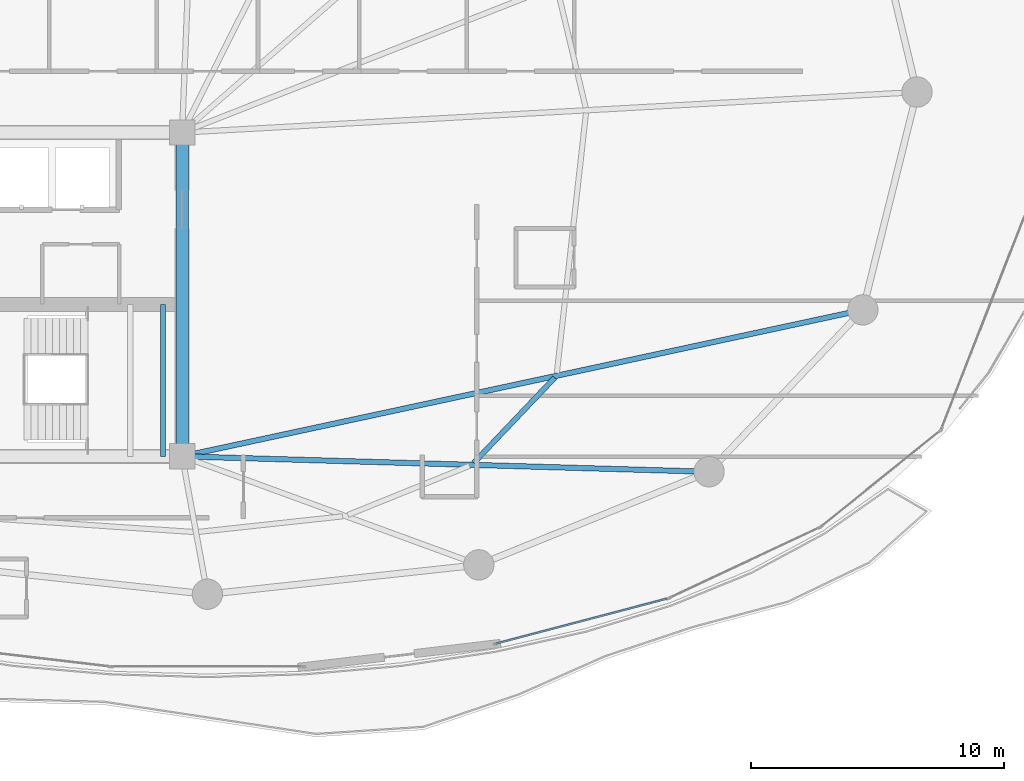
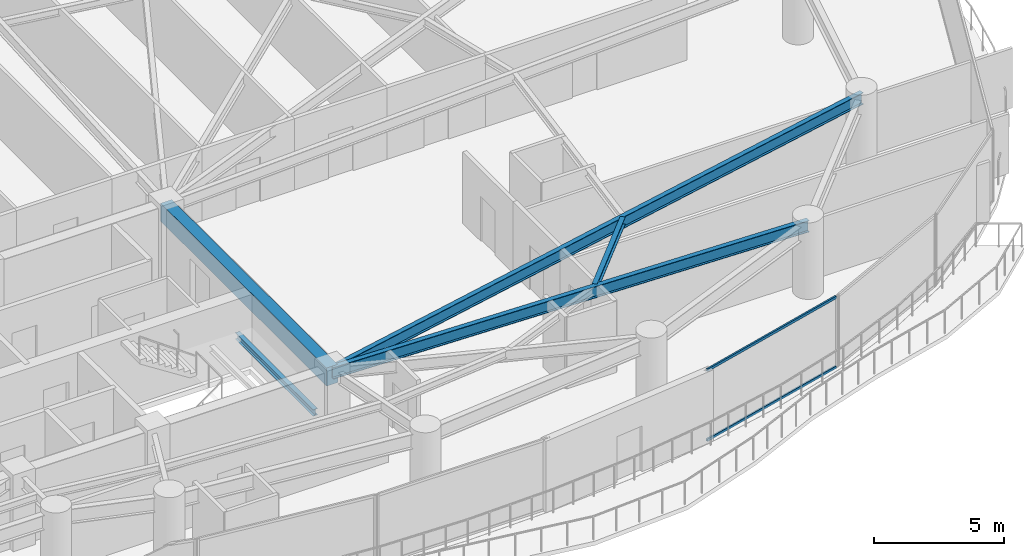
# One storey, part 13 of 33: 5 beams, 2 members, 1 element without a shape of its own.
"""IFC4 building model written with IfcOpenShell, lengths in metres."""

from ifc_helpers import new_model, si_unit, direction, frame, origin, origin_2d, place, context, subcontext, project, spatial, rectangle, hollow_rectangle, i_section, extrude, material, layer, layer_set, material_profile, profile_set, type_object, element, aggregate, save


model = new_model("IFC4")

# Units and contexts
model_context = context("Model", 3, precision=1e-05, world=origin(), true_north=direction((0.0, 1.0)))
body_context = subcontext(model_context, "Body", "Model", "MODEL_VIEW")
ifc_project = project(units=[si_unit("LENGTHUNIT", "METRE"), si_unit("AREAUNIT", "SQUARE_METRE"), si_unit("VOLUMEUNIT", "CUBIC_METRE"), si_unit("PLANEANGLEUNIT", "RADIAN"), si_unit("MASSUNIT", "GRAM", prefix="KILO")], contexts=[model_context])

# Site, building, storey
site_placement = place(None, origin())
site = spatial("IfcSite", under=ifc_project, at=site_placement, CompositionType="ELEMENT")
building_placement = place(site_placement, origin())
building = spatial("IfcBuilding", under=site, at=building_placement, Name="Kazevale Care Tower and Concert Hall", CompositionType="ELEMENT")
storey_placement = place(building_placement, frame((0.0, 0.0, 145.800048828125)))
storey = spatial("IfcBuildingStorey", under=building, at=storey_placement, Name="L38", CompositionType="ELEMENT", Elevation=145.800048828125)

# Curtain wall, members
ifc_material_1 = material(Name="Aluminium 6063-T6 and Low-E Glass", Category="aluminium")
ifc_layer = layer(ifc_material_1, 0.179931640625)
ifc_layer_set = layer_set([ifc_layer], Name="Aluminium 6063-T6 and Low-E Glass")
curtain_wall_type = type_object("IfcCurtainWallType", Name="Sheltered Concave Balcony Curtain Wall CW-5", PredefinedType="NOTDEFINED", material=ifc_layer_set)
curtain_wall_placement = place(storey_placement, origin())
curtain_wall = element("IfcCurtainWall", 1, at=curtain_wall_placement, inside=storey, type_object=curtain_wall_type, Name="cw:L38:f04", PredefinedType="NOTDEFINED")
ifc_material_2 = material(Name="Aluminium 6063-T6", Category="aluminium")
ifc_material_profile_1 = material_profile(ifc_material_2, hollow_rectangle(XDim=0.074951171875, YDim=0.1201171875, WallThickness=0.00390625, at=origin_2d()), Name="ALU75x120x4")
ifc_profile_set_1 = profile_set([ifc_material_profile_1], Name="Aluminium 6063-T6")
member_type = type_object("IfcMemberType", Name="CW-5 Transom ALU75x120x4", PredefinedType="USERDEFINED", material=ifc_profile_set_1)
member_1_placement = place(storey_placement, frame((63.16845703125, 17.971923828125, 0.037353515625), z_axis=(-0.967142752699, -0.254233939321, 0.0), x_axis=(0.254233939321, -0.967142752699, 0.0)))
member_1 = element("IfcMember", 2, at=member_1_placement, type_object=member_type, Name="CW-5 transom 1.1", ObjectType="TRANSOM", PredefinedType="USERDEFINED", context=body_context, shape_type="SweptSolid", body=[
    extrude(hollow_rectangle(XDim=0.074951171875, YDim=0.1201171875, WallThickness=0.00390625, at=origin_2d()), origin(), (0.0, 0.0, 1.0), 6.996826171875),
])
member_2_placement = place(storey_placement, frame((63.16845703125, 17.971923828125, 3.322509765625), z_axis=(-0.967142752699, -0.254233939321, 0.0), x_axis=(0.254233939321, -0.967142752699, 0.0)))
member_2 = element("IfcMember", 3, at=member_2_placement, type_object=member_type, Name="CW-5 transom 1.2", ObjectType="TRANSOM", PredefinedType="USERDEFINED", context=body_context, shape_type="SweptSolid", body=[
    extrude(hollow_rectangle(XDim=0.074951171875, YDim=0.1201171875, WallThickness=0.00390625, at=origin_2d()), origin(), (0.0, 0.0, 1.0), 6.996826171875),
])
aggregate(curtain_wall, [member_1, member_2])

# Beams
ifc_material_3 = material(Name="Concrete C60", Category="concrete")
ifc_material_profile_2 = material_profile(ifc_material_3, rectangle(XDim=0.5, YDim=0.85009765625, at=origin_2d()), Name="RC-B500x850")
ifc_profile_set_2 = profile_set([ifc_material_profile_2], Name="Concrete C60")
beam_type_1 = type_object("IfcBeamType", Name="Core Coupling Beam RC500x850", PredefinedType="LINTEL", material=ifc_profile_set_2)
beam_1_placement = place(storey_placement, frame((44.0, 23.60009765625, 2.93505859375), z_axis=(0.0, 1.0, 0.0), x_axis=(-1.0, 0.0, 0.0)))
element("IfcBeam", 4, at=beam_1_placement, inside=storey, type_object=beam_type_1, Name="beam:L38:coretie:4", PredefinedType="LINTEL", context=body_context, shape_type="SweptSolid", body=[
    extrude(rectangle(XDim=0.5, YDim=0.85009765625, at=origin_2d()), origin(), (0.0, 0.0, 1.0), 12.7998046875),
])
ifc_material_4 = material(Name="Steel ASTM A572 Gr 50", Category="steel")
ifc_material_profile_3 = material_profile(ifc_material_4, i_section(OverallWidth=0.2119140625, OverallDepth=0.5439453125, WebThickness=0.01318359375, FlangeThickness=0.021240234375, at=origin_2d()), Name="W530x123")
ifc_profile_set_3 = profile_set([ifc_material_profile_3], Name="Steel ASTM A572 Gr 50")
beam_type_2 = type_object("IfcBeamType", Name="Radial Floor Girder W530x123", PredefinedType="BEAM", material=ifc_profile_set_3)
beam_2_placement = place(storey_placement, frame((44.0, 23.60009765625, 3.087890625), z_axis=(0.99957133157, -0.029277177187, 0.0), x_axis=(0.029277177187, 0.99957133157, 0.0)))
element("IfcBeam", 5, at=beam_2_placement, inside=storey, type_object=beam_type_2, Name="beam:L38:rad:15", PredefinedType="BEAM", context=body_context, shape_type="SweptSolid", body=[
    extrude(i_section(OverallWidth=0.2119140625, OverallDepth=0.5439453125, WebThickness=0.01318359375, FlangeThickness=0.021240234375, at=origin_2d()), origin(), (0.0, 0.0, 1.0), 20.839111328125),
])
beam_3_placement = place(storey_placement, frame((44.0, 23.60009765625, 3.087890625), z_axis=(0.97762801725, 0.210341293823, 0.0), x_axis=(-0.210341293823, 0.97762801725, 0.0)))
element("IfcBeam", 6, at=beam_3_placement, inside=storey, type_object=beam_type_2, Name="beam:L38:rad:16", PredefinedType="BEAM", context=body_context, shape_type="SweptSolid", body=[
    extrude(i_section(OverallWidth=0.2119140625, OverallDepth=0.5439453125, WebThickness=0.01318359375, FlangeThickness=0.021240234375, at=origin_2d()), origin(), (0.0, 0.0, 1.0), 27.525634765625),
])
ifc_material_profile_4 = material_profile(ifc_material_4, i_section(OverallWidth=0.205078125, OverallDepth=0.35400390625, WebThickness=0.009521484375, FlangeThickness=0.016845703125, at=origin_2d()), Name="W360x79")
ifc_profile_set_4 = profile_set([ifc_material_profile_4], Name="Steel ASTM A572 Gr 50")
beam_type_3 = type_object("IfcBeamType", Name="Secondary Floor Joist W360x79", PredefinedType="JOIST", material=ifc_profile_set_4)
beam_4_placement = place(storey_placement, frame((55.529052734375, 23.341064453125, 3.182861328125), z_axis=(0.688792288395, 0.724958746032, 0.0), x_axis=(-0.724958746032, 0.688792288395, 0.0)))
element("IfcBeam", 7, at=beam_4_placement, inside=storey, type_object=beam_type_3, Name="beam:L38:joist:15", PredefinedType="JOIST", context=body_context, shape_type="SweptSolid", body=[
    extrude(i_section(OverallWidth=0.205078125, OverallDepth=0.35400390625, WebThickness=0.009521484375, FlangeThickness=0.016845703125, at=origin_2d()), origin(), (0.0, 0.0, 1.0), 4.644287109375),
])
ifc_material_profile_5 = material_profile(ifc_material_4, i_section(OverallWidth=0.202880859375, OverallDepth=0.302978515625, WebThickness=0.007568359375, FlangeThickness=0.01318359375, at=origin_2d()), Name="W310x60")
ifc_profile_set_5 = profile_set([ifc_material_profile_5], Name="Steel ASTM A572 Gr 50")
beam_type_4 = type_object("IfcBeamType", Name="Stair & Balcony Trimmer W310x60", PredefinedType="BEAM", material=ifc_profile_set_5)
beam_5_placement = place(storey_placement, frame((43.25, 23.60009765625, 1.448486328125), z_axis=(0.0, 1.0, 0.0), x_axis=(-1.0, 0.0, 0.0)))
element("IfcBeam", 8, at=beam_5_placement, inside=storey, type_object=beam_type_4, Name="beam:L38:sttrim:ST2b", PredefinedType="BEAM", context=body_context, shape_type="SweptSolid", body=[
    extrude(i_section(OverallWidth=0.202880859375, OverallDepth=0.302978515625, WebThickness=0.007568359375, FlangeThickness=0.01318359375, at=origin_2d()), origin(), (0.0, 0.0, 1.0), 6.0),
])

save(model, "model.ifc")
